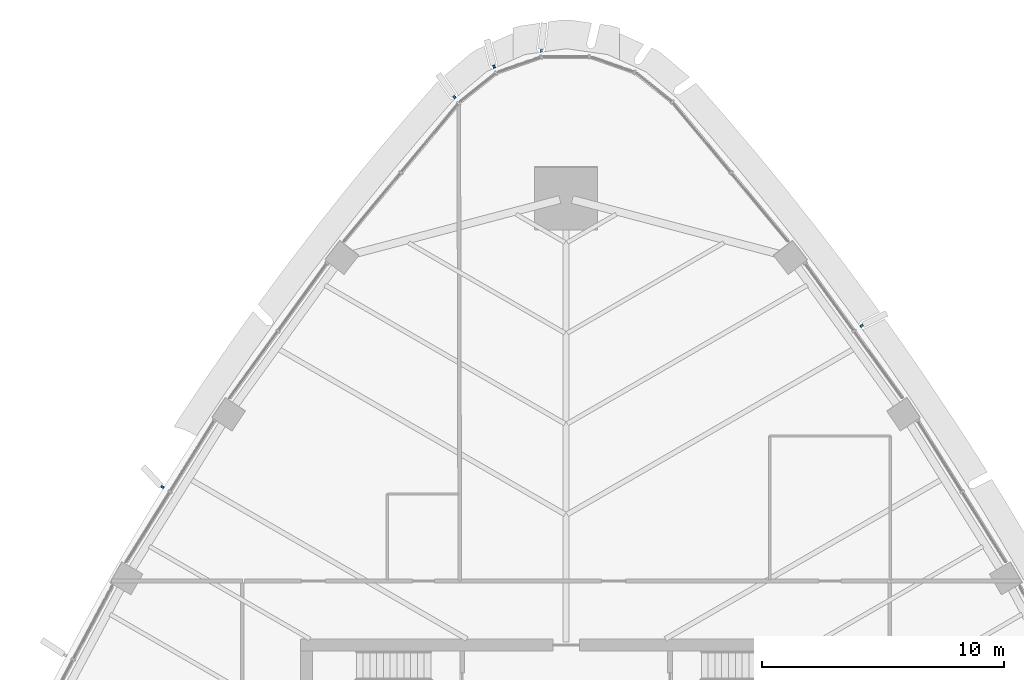
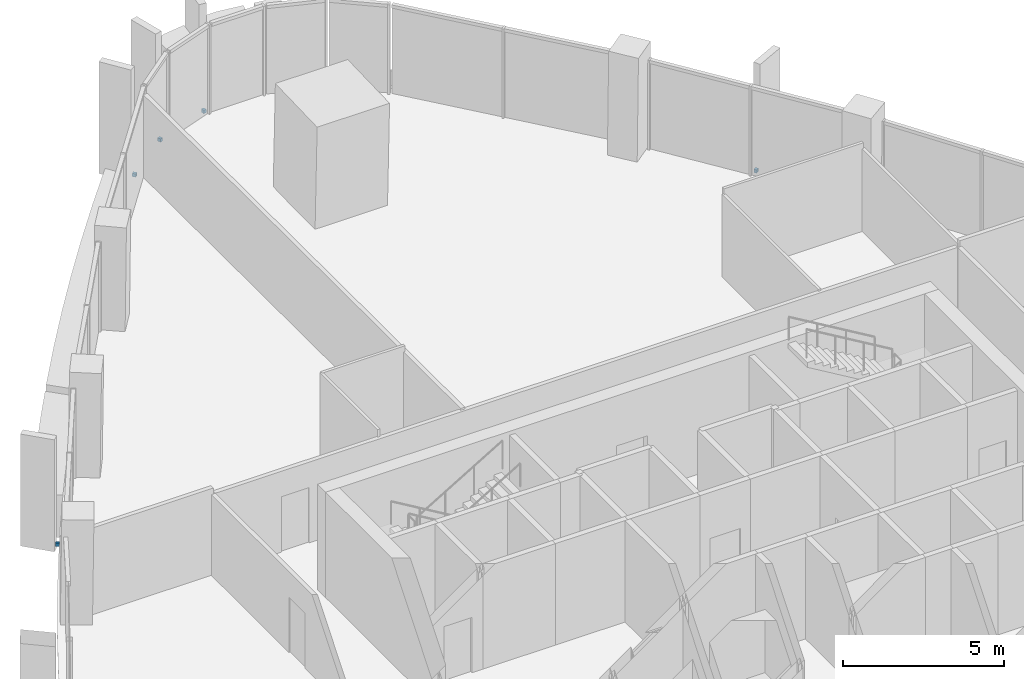
# One storey, part 15 of 19: 5 discrete accessories.
"""IFC4 building model written with IfcOpenShell, lengths in metres."""

from ifc_helpers import new_model, si_unit, direction, frame, origin, origin_2d, place, context, subcontext, project, spatial, rectangle, extrude, material, type_object, element, save


model = new_model("IFC4")

# Units and contexts
model_context = context("Model", 3, precision=1e-05, world=origin(), true_north=direction((0.0, 1.0)))
body_context = subcontext(model_context, "Body", "Model", "MODEL_VIEW")
ifc_project = project(units=[si_unit("LENGTHUNIT", "METRE"), si_unit("AREAUNIT", "SQUARE_METRE"), si_unit("VOLUMEUNIT", "CUBIC_METRE"), si_unit("PLANEANGLEUNIT", "RADIAN"), si_unit("MASSUNIT", "GRAM", prefix="KILO")], contexts=[model_context])

# Site, building, storey
site_placement = place(None, origin())
site = spatial("IfcSite", under=ifc_project, at=site_placement, CompositionType="ELEMENT")
building_placement = place(site_placement, origin())
building = spatial("IfcBuilding", under=site, at=building_placement, Name="Sierra Prisma Convention Tower", CompositionType="ELEMENT")
storey_placement = place(building_placement, frame((0.0, 0.0, 209.800048828125)))
storey = spatial("IfcBuildingStorey", under=building, at=storey_placement, Name="L47", CompositionType="ELEMENT", Elevation=209.800048828125)

# Discrete accessories
ifc_material = material(Name="Stainless steel 316", Category="steel")
discrete_accessory_type = type_object("IfcDiscreteAccessoryType", Name="Fin bracket", PredefinedType="BRACKET", material=ifc_material)
for number, where, z_axis, x_axis, name in (
    (1, (12.226806640625, 20.9619140625, -0.135009765625), (0.0, 0.0, 1.0), (0.813038257098, 0.582210264849, 0.0), "Fin bracket L47.36 base"),
    (2, (-1.029296875, 32.343505859375, -0.135009765625), (0.0, 0.0, 1.0), (-0.140096314869, 0.99013788058, 0.0), "Fin bracket L47.43 base"),
    (3, (-2.980712890625, 31.68310546875, -0.135009765625), (0.0, 0.0, 1.0), (-0.409290275745, 0.91240422521, 0.0), "Fin bracket L47.44 base"),
    (4, (-4.621337890625, 30.429443359375, -0.135009765625), (0.0, 0.0, 1.0), (-0.646351712592, 0.763039621271, 0.0), "Fin bracket L47.45 base"),
    (5, (-16.707763671875, 14.28857421875, -0.135009765625), (0.0, 0.0, 1.0), (-0.84926008222, 0.527974727376, 0.0), "Fin bracket L47.52 base"),
):
    element("IfcDiscreteAccessory", number, at=place(storey_placement, frame(where, z_axis=z_axis, x_axis=x_axis)), inside=storey, type_object=discrete_accessory_type, Name=name, PredefinedType="BRACKET", context=body_context, shape_type="SweptSolid", body=[
        extrude(rectangle(XDim=0.1201171875, YDim=0.10009765625, at=origin_2d()), origin(), (0.0, 0.0, 1.0), 0.1201171875),
    ])

save(model, "model.ifc")
